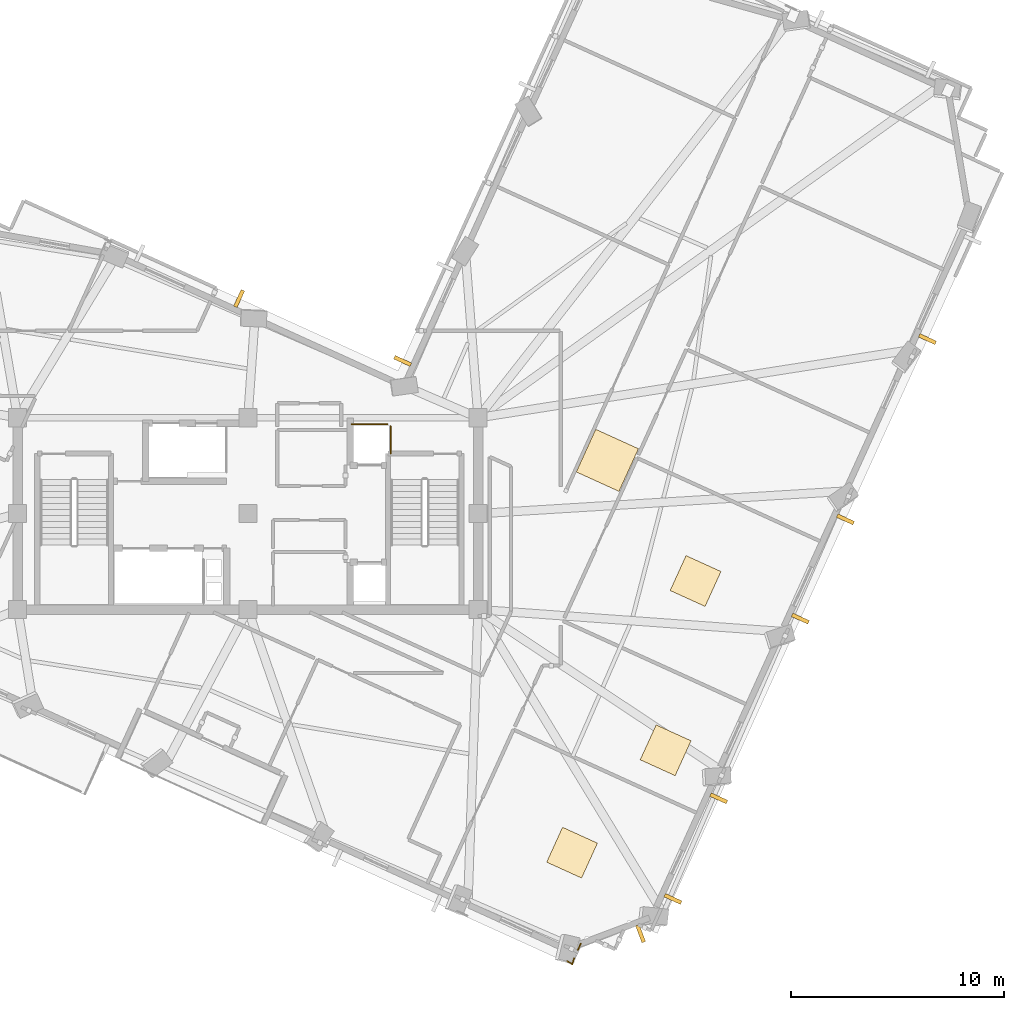
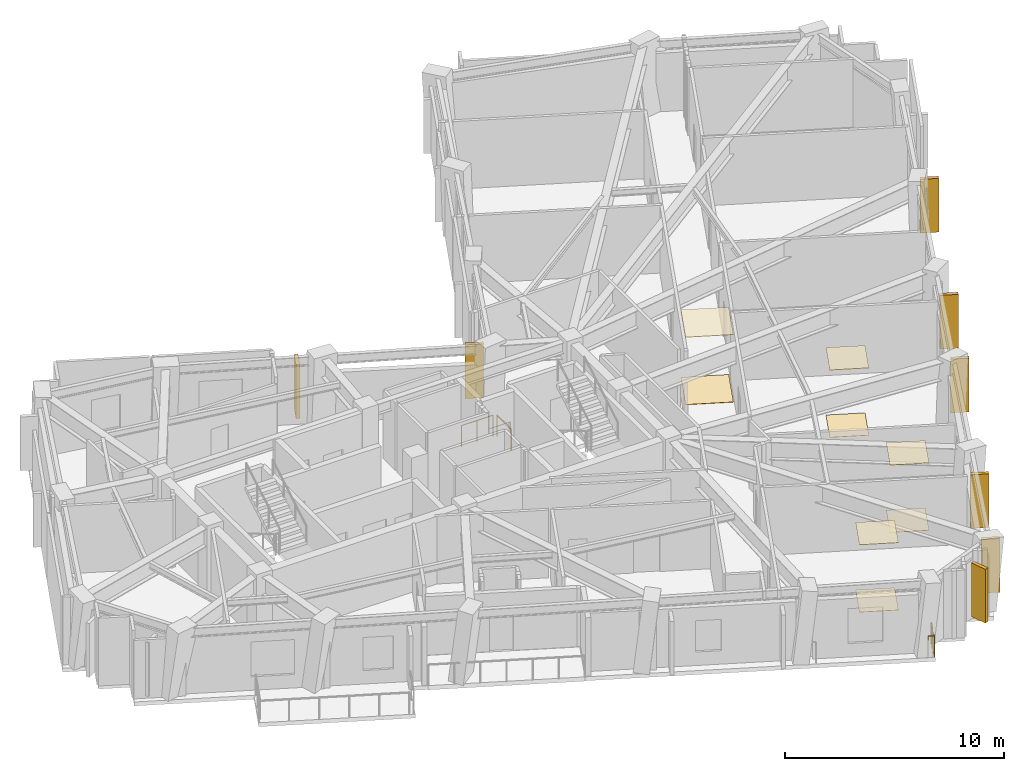
# One storey, part 11 of 13: 8 coverings, 8 shading devices, 4 railings.
"""IFC4 building model written with IfcOpenShell, lengths in metres."""

from ifc_helpers import new_model, si_unit, direction, frame, origin, origin_2d, place, context, subcontext, project, spatial, rectangle, circle, extrude, material, layer, layer_set, type_object, element, save


model = new_model("IFC4")

# Units and contexts
model_context = context("Model", 3, precision=1e-05, world=origin(), true_north=direction((0.0, 1.0)))
body_context = subcontext(model_context, "Body", "Model", "MODEL_VIEW")
ifc_project = project(units=[si_unit("LENGTHUNIT", "METRE"), si_unit("AREAUNIT", "SQUARE_METRE"), si_unit("VOLUMEUNIT", "CUBIC_METRE"), si_unit("PLANEANGLEUNIT", "RADIAN"), si_unit("MASSUNIT", "GRAM", prefix="KILO")], contexts=[model_context])

# Site, building, storey
site_placement = place(None, origin())
site = spatial("IfcSite", under=ifc_project, at=site_placement, CompositionType="ELEMENT")
building_placement = place(site_placement, origin())
building = spatial("IfcBuilding", under=site, at=building_placement, Name="Gaonmaruhae Medical Tower", CompositionType="ELEMENT")
storey_placement = place(building_placement, frame((0.0, 0.0, 304.60009765625)))
storey = spatial("IfcBuildingStorey", under=building, at=storey_placement, Name="L73", CompositionType="ELEMENT", Elevation=304.60009765625)

# Coverings
ifc_material_1 = material(Name="Acoustic mineral ceiling tile", Category="finish")
ifc_layer_1 = layer(ifc_material_1, 0.02490234375)
ifc_layer_set_1 = layer_set([ifc_layer_1], Name="Acoustic mineral ceiling tile")
covering_type_1 = type_object("IfcCoveringType", Name="CLG-01 Antimicrobial Acoustic Mineral Ceiling", PredefinedType="CEILING", material=ifc_layer_set_1)
covering_1_placement = place(storey_placement, frame((41.6650390625, 14.802001953125, 3.7548828125), z_axis=(0.0, 0.0, 1.0), x_axis=(0.413898993841, 0.910322812467, 0.0)))
element("IfcCovering", 1, at=covering_1_placement, inside=storey, type_object=covering_type_1, Name="L73 Clinical Corridor Acoustic Ceiling", PredefinedType="CEILING", context=body_context, shape_type="SweptSolid", body=[
    extrude(rectangle(XDim=2.199951171875, YDim=2.199951171875, at=origin_2d()), origin(), (0.0, 0.0, 1.0), 0.02490234375),
])
for number, where, z_axis, x_axis, name in (
    (2, (40.008056640625, -3.6044921875, 3.7548828125), (0.0, 0.0, 1.0), (0.413898993841, 0.910322812467, 0.0), "L73 Clinical Room Acoustic Ceiling 2"),
    (3, (44.3984375, 1.19921875, 3.7548828125), (0.0, 0.0, 1.0), (0.413898993841, 0.910322812467, 0.0), "L73 Clinical Room Acoustic Ceiling 3"),
    (4, (45.802490234375, 9.139892578125, 3.7548828125), (0.0, 0.0, 1.0), (0.413898993841, 0.910322812467, 0.0), "L73 Clinical Room Acoustic Ceiling 4"),
):
    element("IfcCovering", number, at=place(storey_placement, frame(where, z_axis=z_axis, x_axis=x_axis)), inside=storey, type_object=covering_type_1, Name=name, PredefinedType="CEILING", context=body_context, shape_type="SweptSolid", body=[
        extrude(rectangle(XDim=1.800048828125, YDim=1.800048828125, at=origin_2d()), origin(), (0.0, 0.0, 1.0), 0.02490234375),
    ])
ifc_material_2 = material(Name="Seamless clinical vinyl flooring", Category="finish")
ifc_layer_2 = layer(ifc_material_2, 0.014892578125)
ifc_layer_set_2 = layer_set([ifc_layer_2], Name="Seamless clinical vinyl flooring")
covering_type_2 = type_object("IfcCoveringType", Name="FLR-01 Seamless Clinical Antistatic Vinyl Flooring", PredefinedType="FLOORING", material=ifc_layer_set_2)
covering_2_placement = place(storey_placement, frame((41.6650390625, 14.802001953125, 0.00048828125), z_axis=(0.0, 0.0, 1.0), x_axis=(0.413898993841, 0.910322812467, 0.0)))
element("IfcCovering", 5, at=covering_2_placement, inside=storey, type_object=covering_type_2, Name="L73 Clinical Corridor Vinyl Flooring", PredefinedType="FLOORING", context=body_context, shape_type="SweptSolid", body=[
    extrude(rectangle(XDim=2.199951171875, YDim=2.199951171875, at=origin_2d()), origin(), (0.0, 0.0, 1.0), 0.014892578125),
])
for number, where, z_axis, x_axis, name in (
    (6, (40.008056640625, -3.6044921875, 0.0), (0.0, 0.0, 1.0), (0.413898993841, 0.910322812467, 0.0), "L73 Clinical Room Vinyl Flooring 2"),
    (7, (44.3984375, 1.19921875, 0.0), (0.0, 0.0, 1.0), (0.413898993841, 0.910322812467, 0.0), "L73 Clinical Room Vinyl Flooring 3"),
    (8, (45.802490234375, 9.139892578125, 0.0), (0.0, 0.0, 1.0), (0.413898993841, 0.910322812467, 0.0), "L73 Clinical Room Vinyl Flooring 4"),
):
    element("IfcCovering", number, at=place(storey_placement, frame(where, z_axis=z_axis, x_axis=x_axis)), inside=storey, type_object=covering_type_2, Name=name, PredefinedType="FLOORING", context=body_context, shape_type="SweptSolid", body=[
        extrude(rectangle(XDim=1.800048828125, YDim=1.800048828125, at=origin_2d()), origin(), (0.0, 0.0, 1.0), 0.014892578125),
    ])

# Railings
ifc_material_3 = material(Name="Stainless steel 316L and laminated safety glass", Category="steel")
ifc_layer_3 = layer(ifc_material_3, 0.080078125)
ifc_layer_set_3 = layer_set([ifc_layer_3], Name="Stainless steel 316L and laminated safety glass")
railing_type_1 = type_object("IfcRailingType", Name="GD-120 Outdoor Terrace Safety Glass & Steel Balustrade", PredefinedType="BALUSTRADE", material=ifc_layer_set_3)
railing_1_placement = place(storey_placement, frame((40.41845703125, -7.8720703125, 0.0)))
element("IfcRailing", 9, at=railing_1_placement, inside=storey, type_object=railing_type_1, Name="L73 Perimeter Slab Edge Safety Balustrade 04", PredefinedType="BALUSTRADE", context=body_context, shape_type="SweptSolid", body=[
    extrude(circle(Radius=0.02392578125, at=origin_2d()), frame((0.0, 0.0, 1.17578125), z_axis=(-0.414028158369, -0.910264073815, 0.0), x_axis=(0.910264073815, -0.414028158369, 0.0)), (0.0, 0.0, 1.0), 0.32666015625),
    extrude(circle(Radius=0.02099609375, at=origin_2d()), origin(), (0.0, 0.0, 1.0), 1.15185546875),
    extrude(circle(Radius=0.02099609375, at=origin_2d()), frame((-0.13525390625, -0.29736328125, 0.0)), (0.0, 0.0, 1.0), 1.15185546875),
])
railing_2_placement = place(storey_placement, frame((40.10400390625, -8.56396484375, 0.0)))
element("IfcRailing", 10, at=railing_2_placement, inside=storey, type_object=railing_type_1, Name="L73 Perimeter Corner Safety Balustrade 09", PredefinedType="BALUSTRADE", context=body_context, shape_type="SweptSolid", body=[
    extrude(circle(Radius=0.02392578125, at=origin_2d()), frame((0.0, 0.0, 1.17578125), z_axis=(-0.300113977239, -0.953903349751, 0.0), x_axis=(0.953903349751, -0.300113977239, 0.0)), (0.0, 0.0, 1.0), 0.287109375),
    extrude(circle(Radius=0.02392578125, at=origin_2d()), frame((-0.086181640625, -0.27392578125, 1.17578125), z_axis=(-0.85288221435, 0.522103369502, 0.0), x_axis=(-0.522103369502, -0.85288221435, 0.0)), (0.0, 0.0, 1.0), 0.287109375),
    extrude(circle(Radius=0.02099609375, at=origin_2d()), origin(), (0.0, 0.0, 1.0), 1.15185546875),
    extrude(circle(Radius=0.02099609375, at=origin_2d()), frame((-0.086181640625, -0.27392578125, 0.0)), (0.0, 0.0, 1.0), 1.15185546875),
    extrude(circle(Radius=0.02099609375, at=origin_2d()), frame((-0.3310546875, -0.1240234375, 0.0)), (0.0, 0.0, 1.0), 1.15185546875),
])

# Shading devices
ifc_material_4 = material(Name="Pigmented coral precast concrete C45/55", Category="concrete")
shading_device_type = type_object("IfcShadingDeviceType", Name="SD-FIN1 Tower Vertical Coral Precast Shading Fin", PredefinedType="USERDEFINED", material=ifc_material_4)
for number, where, z_axis, x_axis, name in (
    (11, (46.8857421875, -1.053466796875, 0.13232421875), (0.0, 0.0, 1.0), (-0.413898993841, -0.910322812467, 0.0), "L73 Vertical Coral Precast Shading Fin S01"),
    (12, (44.73974609375, -5.773193359375, 0.13232421875), (0.0, 0.0, 1.0), (-0.413898993841, -0.910322812467, 0.0), "L73 Vertical Coral Precast Shading Fin S01B"),
    (13, (52.8349609375, 12.03125, 0.13232421875), (0.0, 0.0, 1.0), (-0.413898993841, -0.910322812467, 0.0), "L73 Vertical Coral Precast Shading Fin S03"),
    (14, (50.718505859375, 7.37646484375, 0.13232421875), (0.0, 0.0, 1.0), (-0.413898993841, -0.910322812467, 0.0), "L73 Vertical Coral Precast Shading Fin S03B"),
    (15, (56.680908203125, 20.489990234375, 0.13232421875), (0.0, 0.0, 1.0), (-0.413898993841, -0.910322812467, 0.0), "L73 Vertical Coral Precast Shading Fin S05B"),
    (16, (32.05859375, 19.465087890625, 0.13232421875), (0.0, 0.0, 1.0), (0.413898993841, 0.910322812467, 0.0), "L73 Vertical Coral Precast Shading Fin EN02"),
    (17, (24.387939453125, 22.39208984375, 0.13232421875), (0.0, 0.0, 1.0), (0.910322812467, -0.413898993841, 0.0), "L73 Vertical Coral Precast Shading Fin NE01B"),
    (18, (43.222412109375, -7.403076171875, 0.13232421875), (0.0, 0.0, 1.0), (-0.936366219035, -0.351024648492, 0.0), "L73 Vertical Coral Precast Shading Fin W06"),
):
    element("IfcShadingDevice", number, at=place(storey_placement, frame(where, z_axis=z_axis, x_axis=x_axis)), inside=storey, type_object=shading_device_type, Name=name, ObjectType="FIN", PredefinedType="USERDEFINED", context=body_context, shape_type="SweptSolid", body=[
        extrude(rectangle(XDim=0.179931640625, YDim=0.85009765625, at=origin_2d()), origin(), (0.0, 0.0, 1.0), 3.0),
    ])

# Railings
ifc_material_5 = material(Name="Stainless steel 304 balustrade", Category="steel")
railing_type_2 = type_object("IfcRailingType", Name="SG-112 Stair Well & Ramp Void Safety Balustrade", PredefinedType="BALUSTRADE", material=ifc_material_5)
railing_3_placement = place(storey_placement, frame((31.4951171875, 16.405029296875, 0.0)))
element("IfcRailing", 19, at=railing_3_placement, inside=storey, type_object=railing_type_2, Name="L73 Shaft Edge Safety Guard 12", PredefinedType="BALUSTRADE", context=body_context, shape_type="SweptSolid", body=[
    extrude(circle(Radius=0.02392578125, at=origin_2d()), frame((0.0, 0.0, 1.17578125), z_axis=(0.0, -1.0, 0.0), x_axis=(1.0, 0.0, 0.0)), (0.0, 0.0, 1.0), 1.284912109375),
    extrude(circle(Radius=0.02099609375, at=origin_2d()), origin(), (0.0, 0.0, 1.0), 1.15185546875),
    extrude(circle(Radius=0.02099609375, at=origin_2d()), frame((0.0, -1.284912109375, 0.0)), (0.0, 0.0, 1.0), 1.15185546875),
])
railing_4_placement = place(storey_placement, frame((29.6630859375, 16.4951171875, 0.0)))
element("IfcRailing", 20, at=railing_4_placement, inside=storey, type_object=railing_type_2, Name="L73 Shaft Edge Safety Guard 13", PredefinedType="BALUSTRADE", context=body_context, shape_type="SweptSolid", body=[
    extrude(circle(Radius=0.02392578125, at=origin_2d()), frame((0.0, 0.0, 1.17578125), z_axis=(1.0, 0.0, 0.0), x_axis=(0.0, 1.0, 0.0)), (0.0, 0.0, 1.0), 1.673828125),
    extrude(circle(Radius=0.02099609375, at=origin_2d()), origin(), (0.0, 0.0, 1.0), 1.15185546875),
    extrude(circle(Radius=0.02099609375, at=origin_2d()), frame((0.8369140625, 0.0, 0.0)), (0.0, 0.0, 1.0), 1.15185546875),
    extrude(circle(Radius=0.02099609375, at=origin_2d()), frame((1.673828125, 0.0, 0.0)), (0.0, 0.0, 1.0), 1.15185546875),
])

save(model, "model.ifc")
